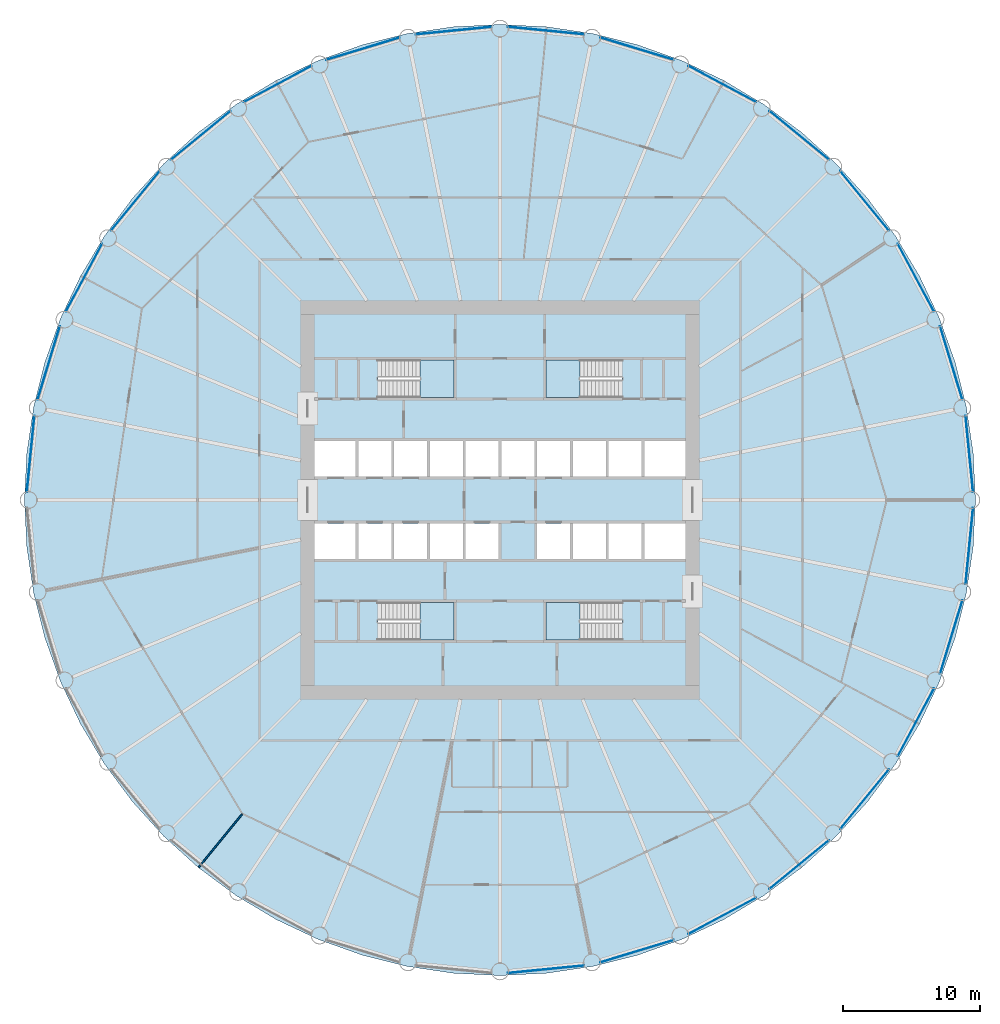
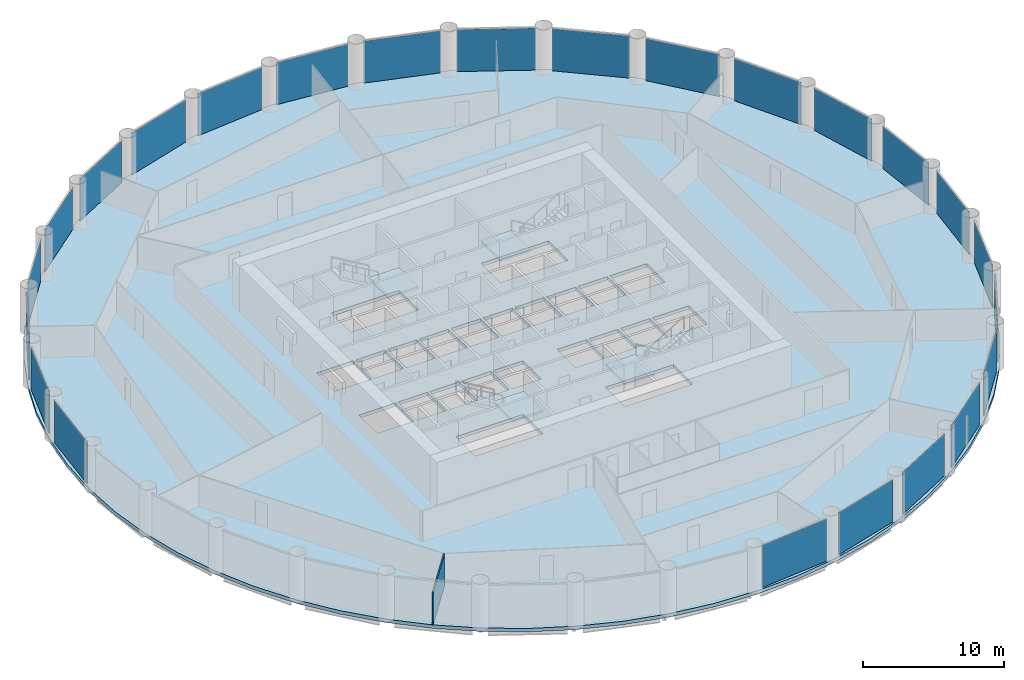
# One storey, part 3 of 8: 24 plates, 5 slabs, 1 wall, 28 elements without a shape of their own.
"""IFC4 building model written with IfcOpenShell, lengths in metres."""

from ifc_helpers import new_model, si_unit, direction, frame, frame_2d, origin, origin_2d, place, context, subcontext, project, spatial, polyline, rectangle, outline, extrude, material, layer, layer_set, type_object, element, aggregate, save


model = new_model("IFC4")

# Units and contexts
model_context = context("Model", 3, precision=1e-05, world=origin(), true_north=direction((0.0, 1.0)))
body_context = subcontext(model_context, "Body", "Model", "MODEL_VIEW")
ifc_project = project(units=[si_unit("LENGTHUNIT", "METRE"), si_unit("AREAUNIT", "SQUARE_METRE"), si_unit("VOLUMEUNIT", "CUBIC_METRE"), si_unit("PLANEANGLEUNIT", "RADIAN"), si_unit("MASSUNIT", "GRAM", prefix="KILO")], contexts=[model_context])

# Site, building, storey
site_placement = place(None, origin())
site = spatial("IfcSite", under=ifc_project, at=site_placement, CompositionType="ELEMENT")
building_placement = place(site_placement, origin())
building = spatial("IfcBuilding", under=site, at=building_placement, Name="Corvane Civic Tower", CompositionType="ELEMENT")
storey_placement = place(building_placement, frame((0.0, 0.0, 122.5)))
storey = spatial("IfcBuildingStorey", under=building, at=storey_placement, Name="L28", CompositionType="ELEMENT", Elevation=122.5)

# Slab
ifc_material_1 = material(Name="Concrete C40/50", Category="concrete")
ifc_layer_1 = layer(ifc_material_1, 0.300048828125)
ifc_layer_set_1 = layer_set([ifc_layer_1], Name="Concrete C40/50")
slab_type_1 = type_object("IfcSlabType", Name="FLOOR SLAB 300", PredefinedType="FLOOR", material=ifc_layer_set_1)
slab_1_placement = place(storey_placement, frame((0.0, 0.0, -0.300048828125)))
element("IfcSlab", 1, at=slab_1_placement, inside=storey, type_object=slab_type_1, Name="SLB-L28", PredefinedType="FLOOR", context=body_context, shape_type="SweptSolid", body=[
    extrude(outline(polyline([(0.0, 34.60009765625), (-3.391357421875, 34.433349609375), (-6.750244140625, 33.93505859375), (-10.0439453125, 33.110107421875), (-13.240966796875, 31.96630859375), (-16.310302734375, 30.514404296875), (-19.22265625, 28.768798828125), (-21.949951171875, 26.74609375), (-24.4658203125, 24.4658203125), (-26.74609375, 21.949951171875), (-28.768798828125, 19.22265625), (-30.514404296875, 16.310302734375), (-31.96630859375, 13.240966796875), (-33.110107421875, 10.0439453125), (-33.93505859375, 6.750244140625), (-34.433349609375, 3.391357421875), (-34.60009765625, 0.0), (-34.433349609375, -3.391357421875), (-33.93505859375, -6.750244140625), (-33.110107421875, -10.0439453125), (-31.96630859375, -13.240966796875), (-30.514404296875, -16.310302734375), (-28.768798828125, -19.22265625), (-26.74609375, -21.949951171875), (-24.4658203125, -24.4658203125), (-21.949951171875, -26.74609375), (-19.22265625, -28.768798828125), (-16.310302734375, -30.514404296875), (-13.240966796875, -31.96630859375), (-10.0439453125, -33.110107421875), (-6.750244140625, -33.93505859375), (-3.391357421875, -34.433349609375), (0.0, -34.60009765625), (3.391357421875, -34.433349609375), (6.750244140625, -33.93505859375), (10.0439453125, -33.110107421875), (13.240966796875, -31.96630859375), (16.310302734375, -30.514404296875), (19.22265625, -28.768798828125), (21.949951171875, -26.74609375), (24.4658203125, -24.4658203125), (26.74609375, -21.949951171875), (28.768798828125, -19.22265625), (30.514404296875, -16.310302734375), (31.96630859375, -13.240966796875), (33.110107421875, -10.0439453125), (33.93505859375, -6.750244140625), (34.433349609375, -3.391357421875), (34.60009765625, 0.0), (34.433349609375, 3.391357421875), (33.93505859375, 6.750244140625), (33.110107421875, 10.0439453125), (31.96630859375, 13.240966796875), (30.514404296875, 16.310302734375), (28.768798828125, 19.22265625), (26.74609375, 21.949951171875), (24.4658203125, 24.4658203125), (21.949951171875, 26.74609375), (19.22265625, 28.768798828125), (16.310302734375, 30.514404296875), (13.240966796875, 31.96630859375), (10.0439453125, 33.110107421875), (6.750244140625, 33.93505859375), (3.391357421875, 34.433349609375), (0.0, 34.60009765625)]), holes=[polyline([(-13.5, 4.300048828125), (-10.5, 4.300048828125), (-10.5, 1.699951171875), (-13.5, 1.699951171875), (-13.5, 4.300048828125)]), polyline([(-7.89990234375, 1.699951171875), (-10.300048828125, 1.699951171875), (-10.300048828125, 4.300048828125), (-7.89990234375, 4.300048828125), (-7.89990234375, 1.699951171875)]), polyline([(-7.699951171875, 4.300048828125), (-5.300048828125, 4.300048828125), (-5.300048828125, 1.699951171875), (-7.699951171875, 1.699951171875), (-7.699951171875, 4.300048828125)]), polyline([(-5.10009765625, 4.300048828125), (-2.699951171875, 4.300048828125), (-2.699951171875, 1.699951171875), (-5.10009765625, 1.699951171875), (-5.10009765625, 4.300048828125)]), polyline([(-0.10009765625, 1.699951171875), (-2.5, 1.699951171875), (-2.5, 4.300048828125), (-0.10009765625, 4.300048828125), (-0.10009765625, 1.699951171875)]), polyline([(2.5, 1.699951171875), (0.10009765625, 1.699951171875), (0.10009765625, 4.300048828125), (2.5, 4.300048828125), (2.5, 1.699951171875)]), polyline([(2.699951171875, 4.300048828125), (5.10009765625, 4.300048828125), (5.10009765625, 1.699951171875), (2.699951171875, 1.699951171875), (2.699951171875, 4.300048828125)]), polyline([(5.300048828125, 4.300048828125), (7.699951171875, 4.300048828125), (7.699951171875, 1.699951171875), (5.300048828125, 1.699951171875), (5.300048828125, 4.300048828125)]), polyline([(7.89990234375, 4.300048828125), (10.300048828125, 4.300048828125), (10.300048828125, 1.699951171875), (7.89990234375, 1.699951171875), (7.89990234375, 4.300048828125)]), polyline([(13.5, 1.699951171875), (10.5, 1.699951171875), (10.5, 4.300048828125), (13.5, 4.300048828125), (13.5, 1.699951171875)]), polyline([(-13.5, -1.699951171875), (-10.5, -1.699951171875), (-10.5, -4.300048828125), (-13.5, -4.300048828125), (-13.5, -1.699951171875)]), polyline([(-7.89990234375, -1.699951171875), (-7.89990234375, -4.300048828125), (-10.300048828125, -4.300048828125), (-10.300048828125, -1.699951171875), (-7.89990234375, -1.699951171875)]), polyline([(-5.300048828125, -1.699951171875), (-5.300048828125, -4.300048828125), (-7.699951171875, -4.300048828125), (-7.699951171875, -1.699951171875), (-5.300048828125, -1.699951171875)]), polyline([(-5.10009765625, -4.300048828125), (-5.10009765625, -1.699951171875), (-2.699951171875, -1.699951171875), (-2.699951171875, -4.300048828125), (-5.10009765625, -4.300048828125)]), polyline([(-0.10009765625, -1.699951171875), (-0.10009765625, -4.300048828125), (-2.5, -4.300048828125), (-2.5, -1.699951171875), (-0.10009765625, -1.699951171875)]), polyline([(5.10009765625, -1.699951171875), (5.10009765625, -4.300048828125), (2.699951171875, -4.300048828125), (2.699951171875, -1.699951171875), (5.10009765625, -1.699951171875)]), polyline([(7.699951171875, -1.699951171875), (7.699951171875, -4.300048828125), (5.300048828125, -4.300048828125), (5.300048828125, -1.699951171875), (7.699951171875, -1.699951171875)]), polyline([(10.300048828125, -1.699951171875), (10.300048828125, -4.300048828125), (7.89990234375, -4.300048828125), (7.89990234375, -1.699951171875), (10.300048828125, -1.699951171875)]), polyline([(13.5, -4.300048828125), (10.5, -4.300048828125), (10.5, -1.699951171875), (13.5, -1.699951171875), (13.5, -4.300048828125)]), polyline([(8.889892578125, 10.199951171875), (8.889892578125, 7.449951171875), (3.35009765625, 7.449951171875), (3.35009765625, 10.199951171875), (8.889892578125, 10.199951171875)]), polyline([(-8.889892578125, 7.449951171875), (-8.889892578125, 10.199951171875), (-3.35009765625, 10.199951171875), (-3.35009765625, 7.449951171875), (-8.889892578125, 7.449951171875)]), polyline([(8.889892578125, -7.449951171875), (8.889892578125, -10.199951171875), (3.35009765625, -10.199951171875), (3.35009765625, -7.449951171875), (8.889892578125, -7.449951171875)]), polyline([(-8.889892578125, -10.199951171875), (-8.889892578125, -7.449951171875), (-3.35009765625, -7.449951171875), (-3.35009765625, -10.199951171875), (-8.889892578125, -10.199951171875)])]), origin(), (0.0, 0.0, 1.0), 0.300048828125),
])

# Stair, slab
ifc_material_2 = material(Name="Concrete C40/50", Category="concrete")
stair_type = type_object("IfcStairType", Name="ST-STAIR-HALFTURN", PredefinedType="HALF_TURN_STAIR", material=ifc_material_2)
stair_1_placement = place(storey_placement, origin())
stair_1 = element("IfcStair", 2, at=stair_1_placement, inside=storey, type_object=stair_type, Name="L28 Exit stair ST1", PredefinedType="HALF_TURN_STAIR")
ifc_material_3 = material(Name="Concrete C40/50", Category="concrete")
ifc_layer_2 = layer(ifc_material_3, 0.199951171875)
ifc_layer_set_2 = layer_set([ifc_layer_2], Name="Concrete C40/50")
slab_type_2 = type_object("IfcSlabType", Name="ST-LANDING-RC", PredefinedType="LANDING", material=ifc_layer_set_2)
slab_2_placement = place(storey_placement, frame((0.0, 0.0, 1.800048828125)))
slab_2 = element("IfcSlab", 3, at=slab_2_placement, type_object=slab_type_2, Name="ST1 landing 1", PredefinedType="LANDING", context=body_context, shape_type="SweptSolid", body=[
    extrude(outline(polyline([(5.820068359375, 10.199951171875), (3.35009765625, 10.199951171875), (3.35009765625, 7.449951171875), (5.820068359375, 7.449951171875), (5.820068359375, 10.199951171875)])), origin(), (0.0, 0.0, 1.0), 0.199951171875),
])
aggregate(stair_1, [slab_2])

stair_2_placement = place(storey_placement, origin())
stair_2 = element("IfcStair", 4, at=stair_2_placement, inside=storey, type_object=stair_type, Name="L28 Exit stair ST2", PredefinedType="HALF_TURN_STAIR")
slab_3_placement = place(storey_placement, frame((0.0, 0.0, 1.800048828125)))
slab_3 = element("IfcSlab", 5, at=slab_3_placement, type_object=slab_type_2, Name="ST2 landing 1", PredefinedType="LANDING", context=body_context, shape_type="SweptSolid", body=[
    extrude(outline(polyline([(5.820068359375, -7.449951171875), (3.35009765625, -7.449951171875), (3.35009765625, -10.199951171875), (5.820068359375, -10.199951171875), (5.820068359375, -7.449951171875)])), origin(), (0.0, 0.0, 1.0), 0.199951171875),
])
aggregate(stair_2, [slab_3])

stair_3_placement = place(storey_placement, origin())
stair_3 = element("IfcStair", 6, at=stair_3_placement, inside=storey, type_object=stair_type, Name="L28 Exit stair ST3", PredefinedType="HALF_TURN_STAIR")
slab_4_placement = place(storey_placement, frame((0.0, 0.0, 1.800048828125)))
slab_4 = element("IfcSlab", 7, at=slab_4_placement, type_object=slab_type_2, Name="ST3 landing 1", PredefinedType="LANDING", context=body_context, shape_type="SweptSolid", body=[
    extrude(outline(polyline([(-5.820068359375, -10.199951171875), (-3.35009765625, -10.199951171875), (-3.35009765625, -7.449951171875), (-5.820068359375, -7.449951171875), (-5.820068359375, -10.199951171875)])), origin(), (0.0, 0.0, 1.0), 0.199951171875),
])
aggregate(stair_3, [slab_4])

stair_4_placement = place(storey_placement, origin())
stair_4 = element("IfcStair", 8, at=stair_4_placement, inside=storey, type_object=stair_type, Name="L28 Exit stair ST4", PredefinedType="HALF_TURN_STAIR")
slab_5_placement = place(storey_placement, frame((0.0, 0.0, 1.800048828125)))
slab_5 = element("IfcSlab", 9, at=slab_5_placement, type_object=slab_type_2, Name="ST4 landing 1", PredefinedType="LANDING", context=body_context, shape_type="SweptSolid", body=[
    extrude(outline(polyline([(-5.820068359375, 7.449951171875), (-3.35009765625, 7.449951171875), (-3.35009765625, 10.199951171875), (-5.820068359375, 10.199951171875), (-5.820068359375, 7.449951171875)])), origin(), (0.0, 0.0, 1.0), 0.199951171875),
])
aggregate(stair_4, [slab_5])

# Curtain wall, plate
ifc_material_4 = material(Name="Anodised aluminium bronze", Category="aluminium")
curtain_wall_type = type_object("IfcCurtainWallType", Name="TOWER CW-T1 STICK CURTAIN WALL", PredefinedType="NOTDEFINED", material=ifc_material_4)
curtain_wall_1_placement = place(storey_placement, origin())
curtain_wall_1 = element("IfcCurtainWall", 10, at=curtain_wall_1_placement, inside=storey, type_object=curtain_wall_type, Name="Curtain wall CW-T1 L28 bay 01", PredefinedType="NOTDEFINED")
ifc_material_5 = material(Name="Tinted glass", Category="glass")
ifc_layer_3 = layer(ifc_material_5, 0.035888671875)
ifc_layer_set_3 = layer_set([ifc_layer_3], Name="Tinted glass")
plate_type = type_object("IfcPlateType", Name="TOWER CW-T1 PANEL IGU36", PredefinedType="CURTAIN_PANEL", material=ifc_layer_set_3)
plate_1_placement = place(storey_placement, frame((3.36328125, 34.148681640625, 0.0), z_axis=(0.0, 0.0, 1.0), x_axis=(0.995183788169, -0.098026668644, 0.0)))
plate_1 = element("IfcPlate", 11, at=plate_1_placement, type_object=plate_type, Name="Glass panel CW-T1 L28 01.1", PredefinedType="CURTAIN_PANEL", context=body_context, shape_type="SweptSolid", body=[
    extrude(rectangle(XDim=5.58642578125, YDim=0.035888671875, at=origin_2d()), origin(), (0.0, 0.0, 1.0), 3.6298828125),
])
aggregate(curtain_wall_1, [plate_1])

curtain_wall_2_placement = place(storey_placement, origin())
curtain_wall_2 = element("IfcCurtainWall", 12, at=curtain_wall_2_placement, inside=storey, type_object=curtain_wall_type, Name="Curtain wall CW-T1 L28 bay 02", PredefinedType="NOTDEFINED")
plate_2_placement = place(storey_placement, frame((9.9609375, 32.83642578125, 0.0), z_axis=(0.0, 0.0, 1.0), x_axis=(0.956945991488, -0.290266032073, 0.0)))
plate_2 = element("IfcPlate", 13, at=plate_2_placement, type_object=plate_type, Name="Glass panel CW-T1 L28 02.1", PredefinedType="CURTAIN_PANEL", context=body_context, shape_type="SweptSolid", body=[
    extrude(rectangle(XDim=5.58642578125, YDim=0.035888671875, at=origin_2d()), origin(), (0.0, 0.0, 1.0), 3.6298828125),
])
aggregate(curtain_wall_2, [plate_2])

curtain_wall_3_placement = place(storey_placement, origin())
curtain_wall_3 = element("IfcCurtainWall", 14, at=curtain_wall_3_placement, inside=storey, type_object=curtain_wall_type, Name="Curtain wall CW-T1 L28 bay 03", PredefinedType="NOTDEFINED")
plate_3_placement = place(storey_placement, frame((16.175537109375, 30.26220703125, 0.0), z_axis=(0.0, 0.0, 1.0), x_axis=(0.881923642976, -0.471392286699, 0.0)))
plate_3 = element("IfcPlate", 15, at=plate_3_placement, type_object=plate_type, Name="Glass panel CW-T1 L28 03.1", PredefinedType="CURTAIN_PANEL", context=body_context, shape_type="SweptSolid", body=[
    extrude(rectangle(XDim=5.586669921875, YDim=0.035888671875, at=origin_2d()), origin(), (0.0, 0.0, 1.0), 3.6298828125),
])
aggregate(curtain_wall_3, [plate_3])

curtain_wall_4_placement = place(storey_placement, origin())
curtain_wall_4 = element("IfcCurtainWall", 16, at=curtain_wall_4_placement, inside=storey, type_object=curtain_wall_type, Name="Curtain wall CW-T1 L28 bay 04", PredefinedType="NOTDEFINED")
plate_4_placement = place(storey_placement, frame((21.7685546875, 26.525146484375, 0.0), z_axis=(0.0, 0.0, 1.0), x_axis=(0.773013419843, -0.63438966948, 0.0)))
plate_4 = element("IfcPlate", 17, at=plate_4_placement, type_object=plate_type, Name="Glass panel CW-T1 L28 04.1", PredefinedType="CURTAIN_PANEL", context=body_context, shape_type="SweptSolid", body=[
    extrude(rectangle(XDim=5.58642578125, YDim=0.035888671875, at=origin_2d()), origin(), (0.0, 0.0, 1.0), 3.6298828125),
])
aggregate(curtain_wall_4, [plate_4])

curtain_wall_5_placement = place(storey_placement, origin())
curtain_wall_5 = element("IfcCurtainWall", 18, at=curtain_wall_5_placement, inside=storey, type_object=curtain_wall_type, Name="Curtain wall CW-T1 L28 bay 05", PredefinedType="NOTDEFINED")
plate_5_placement = place(storey_placement, frame((26.525146484375, 21.7685546875, 0.0), z_axis=(0.0, 0.0, 1.0), x_axis=(0.63438966948, -0.773013419843, 0.0)))
plate_5 = element("IfcPlate", 19, at=plate_5_placement, type_object=plate_type, Name="Glass panel CW-T1 L28 05.1", PredefinedType="CURTAIN_PANEL", context=body_context, shape_type="SweptSolid", body=[
    extrude(rectangle(XDim=5.58642578125, YDim=0.035888671875, at=origin_2d()), origin(), (0.0, 0.0, 1.0), 3.6298828125),
])
aggregate(curtain_wall_5, [plate_5])

curtain_wall_6_placement = place(storey_placement, origin())
curtain_wall_6 = element("IfcCurtainWall", 20, at=curtain_wall_6_placement, inside=storey, type_object=curtain_wall_type, Name="Curtain wall CW-T1 L28 bay 06", PredefinedType="NOTDEFINED")
plate_6_placement = place(storey_placement, frame((30.26220703125, 16.175537109375, 0.0), z_axis=(0.0, 0.0, 1.0), x_axis=(0.471392286699, -0.881923642976, 0.0)))
plate_6 = element("IfcPlate", 21, at=plate_6_placement, type_object=plate_type, Name="Glass panel CW-T1 L28 06.1", PredefinedType="CURTAIN_PANEL", context=body_context, shape_type="SweptSolid", body=[
    extrude(rectangle(XDim=5.586669921875, YDim=0.035888671875, at=origin_2d()), origin(), (0.0, 0.0, 1.0), 3.6298828125),
])
aggregate(curtain_wall_6, [plate_6])

curtain_wall_7_placement = place(storey_placement, origin())
curtain_wall_7 = element("IfcCurtainWall", 22, at=curtain_wall_7_placement, inside=storey, type_object=curtain_wall_type, Name="Curtain wall CW-T1 L28 bay 07", PredefinedType="NOTDEFINED")
plate_7_placement = place(storey_placement, frame((32.83642578125, 9.9609375, 0.0), z_axis=(0.0, 0.0, 1.0), x_axis=(0.290266032073, -0.956945991488, 0.0)))
plate_7 = element("IfcPlate", 23, at=plate_7_placement, type_object=plate_type, Name="Glass panel CW-T1 L28 07.1", PredefinedType="CURTAIN_PANEL", context=body_context, shape_type="SweptSolid", body=[
    extrude(rectangle(XDim=5.58642578125, YDim=0.035888671875, at=origin_2d()), origin(), (0.0, 0.0, 1.0), 3.6298828125),
])
aggregate(curtain_wall_7, [plate_7])

curtain_wall_8_placement = place(storey_placement, origin())
curtain_wall_8 = element("IfcCurtainWall", 24, at=curtain_wall_8_placement, inside=storey, type_object=curtain_wall_type, Name="Curtain wall CW-T1 L28 bay 08", PredefinedType="NOTDEFINED")
plate_8_placement = place(storey_placement, frame((34.148681640625, 3.36328125, 0.0), z_axis=(0.0, 0.0, 1.0), x_axis=(0.098026668644, -0.995183788169, 0.0)))
plate_8 = element("IfcPlate", 25, at=plate_8_placement, type_object=plate_type, Name="Glass panel CW-T1 L28 08.1", PredefinedType="CURTAIN_PANEL", context=body_context, shape_type="SweptSolid", body=[
    extrude(rectangle(XDim=5.58642578125, YDim=0.035888671875, at=origin_2d()), origin(), (0.0, 0.0, 1.0), 3.6298828125),
])
aggregate(curtain_wall_8, [plate_8])

curtain_wall_9_placement = place(storey_placement, origin())
curtain_wall_9 = element("IfcCurtainWall", 26, at=curtain_wall_9_placement, inside=storey, type_object=curtain_wall_type, Name="Curtain wall CW-T1 L28 bay 09", PredefinedType="NOTDEFINED")
plate_9_placement = place(storey_placement, frame((34.148681640625, -3.36328125, 0.0), z_axis=(0.0, 0.0, 1.0), x_axis=(-0.098026668644, -0.995183788169, 0.0)))
plate_9 = element("IfcPlate", 27, at=plate_9_placement, type_object=plate_type, Name="Glass panel CW-T1 L28 09.1", PredefinedType="CURTAIN_PANEL", context=body_context, shape_type="SweptSolid", body=[
    extrude(rectangle(XDim=5.58642578125, YDim=0.035888671875, at=origin_2d()), origin(), (0.0, 0.0, 1.0), 3.6298828125),
])
aggregate(curtain_wall_9, [plate_9])

curtain_wall_10_placement = place(storey_placement, origin())
curtain_wall_10 = element("IfcCurtainWall", 28, at=curtain_wall_10_placement, inside=storey, type_object=curtain_wall_type, Name="Curtain wall CW-T1 L28 bay 10", PredefinedType="NOTDEFINED")
plate_10_placement = place(storey_placement, frame((32.83642578125, -9.9609375, 0.0), z_axis=(0.0, 0.0, 1.0), x_axis=(-0.290266032073, -0.956945991488, 0.0)))
plate_10 = element("IfcPlate", 29, at=plate_10_placement, type_object=plate_type, Name="Glass panel CW-T1 L28 10.1", PredefinedType="CURTAIN_PANEL", context=body_context, shape_type="SweptSolid", body=[
    extrude(rectangle(XDim=5.58642578125, YDim=0.035888671875, at=origin_2d()), origin(), (0.0, 0.0, 1.0), 3.6298828125),
])
aggregate(curtain_wall_10, [plate_10])

curtain_wall_11_placement = place(storey_placement, origin())
curtain_wall_11 = element("IfcCurtainWall", 30, at=curtain_wall_11_placement, inside=storey, type_object=curtain_wall_type, Name="Curtain wall CW-T1 L28 bay 11", PredefinedType="NOTDEFINED")
plate_11_placement = place(storey_placement, frame((30.26220703125, -16.175537109375, 0.0), z_axis=(0.0, 0.0, 1.0), x_axis=(-0.471392286699, -0.881923642976, 0.0)))
plate_11 = element("IfcPlate", 31, at=plate_11_placement, type_object=plate_type, Name="Glass panel CW-T1 L28 11.1", PredefinedType="CURTAIN_PANEL", context=body_context, shape_type="SweptSolid", body=[
    extrude(rectangle(XDim=5.586669921875, YDim=0.035888671875, at=origin_2d()), origin(), (0.0, 0.0, 1.0), 3.6298828125),
])
aggregate(curtain_wall_11, [plate_11])

curtain_wall_12_placement = place(storey_placement, origin())
curtain_wall_12 = element("IfcCurtainWall", 32, at=curtain_wall_12_placement, inside=storey, type_object=curtain_wall_type, Name="Curtain wall CW-T1 L28 bay 12", PredefinedType="NOTDEFINED")
plate_12_placement = place(storey_placement, frame((26.525146484375, -21.7685546875, 0.0), z_axis=(0.0, 0.0, 1.0), x_axis=(-0.63438966948, -0.773013419843, 0.0)))
plate_12 = element("IfcPlate", 33, at=plate_12_placement, type_object=plate_type, Name="Glass panel CW-T1 L28 12.1", PredefinedType="CURTAIN_PANEL", context=body_context, shape_type="SweptSolid", body=[
    extrude(rectangle(XDim=5.58642578125, YDim=0.035888671875, at=origin_2d()), origin(), (0.0, 0.0, 1.0), 3.6298828125),
])
aggregate(curtain_wall_12, [plate_12])

curtain_wall_13_placement = place(storey_placement, origin())
curtain_wall_13 = element("IfcCurtainWall", 34, at=curtain_wall_13_placement, inside=storey, type_object=curtain_wall_type, Name="Curtain wall CW-T1 L28 bay 13", PredefinedType="NOTDEFINED")
plate_13_placement = place(storey_placement, frame((21.7685546875, -26.525146484375, 0.0), z_axis=(0.0, 0.0, 1.0), x_axis=(-0.773013419843, -0.63438966948, 0.0)))
plate_13 = element("IfcPlate", 35, at=plate_13_placement, type_object=plate_type, Name="Glass panel CW-T1 L28 13.1", PredefinedType="CURTAIN_PANEL", context=body_context, shape_type="SweptSolid", body=[
    extrude(rectangle(XDim=5.58642578125, YDim=0.035888671875, at=origin_2d()), origin(), (0.0, 0.0, 1.0), 3.6298828125),
])
aggregate(curtain_wall_13, [plate_13])

curtain_wall_14_placement = place(storey_placement, origin())
curtain_wall_14 = element("IfcCurtainWall", 36, at=curtain_wall_14_placement, inside=storey, type_object=curtain_wall_type, Name="Curtain wall CW-T1 L28 bay 14", PredefinedType="NOTDEFINED")
plate_14_placement = place(storey_placement, frame((16.175537109375, -30.26220703125, 0.0), z_axis=(0.0, 0.0, 1.0), x_axis=(-0.881923642976, -0.471392286699, 0.0)))
plate_14 = element("IfcPlate", 37, at=plate_14_placement, type_object=plate_type, Name="Glass panel CW-T1 L28 14.1", PredefinedType="CURTAIN_PANEL", context=body_context, shape_type="SweptSolid", body=[
    extrude(rectangle(XDim=5.586669921875, YDim=0.035888671875, at=origin_2d()), origin(), (0.0, 0.0, 1.0), 3.6298828125),
])
aggregate(curtain_wall_14, [plate_14])

curtain_wall_15_placement = place(storey_placement, origin())
curtain_wall_15 = element("IfcCurtainWall", 38, at=curtain_wall_15_placement, inside=storey, type_object=curtain_wall_type, Name="Curtain wall CW-T1 L28 bay 15", PredefinedType="NOTDEFINED")
plate_15_placement = place(storey_placement, frame((9.9609375, -32.83642578125, 0.0), z_axis=(0.0, 0.0, 1.0), x_axis=(-0.956945991488, -0.290266032073, 0.0)))
plate_15 = element("IfcPlate", 39, at=plate_15_placement, type_object=plate_type, Name="Glass panel CW-T1 L28 15.1", PredefinedType="CURTAIN_PANEL", context=body_context, shape_type="SweptSolid", body=[
    extrude(rectangle(XDim=5.58642578125, YDim=0.035888671875, at=origin_2d()), origin(), (0.0, 0.0, 1.0), 3.6298828125),
])
aggregate(curtain_wall_15, [plate_15])

curtain_wall_16_placement = place(storey_placement, origin())
curtain_wall_16 = element("IfcCurtainWall", 40, at=curtain_wall_16_placement, inside=storey, type_object=curtain_wall_type, Name="Curtain wall CW-T1 L28 bay 16", PredefinedType="NOTDEFINED")
plate_16_placement = place(storey_placement, frame((3.36328125, -34.148681640625, 0.0), z_axis=(0.0, 0.0, 1.0), x_axis=(-0.995183788169, -0.098026668644, 0.0)))
plate_16 = element("IfcPlate", 41, at=plate_16_placement, type_object=plate_type, Name="Glass panel CW-T1 L28 16.1", PredefinedType="CURTAIN_PANEL", context=body_context, shape_type="SweptSolid", body=[
    extrude(rectangle(XDim=5.58642578125, YDim=0.035888671875, at=origin_2d()), origin(), (0.0, 0.0, 1.0), 3.6298828125),
])
aggregate(curtain_wall_16, [plate_16])

curtain_wall_17_placement = place(storey_placement, origin())
curtain_wall_17 = element("IfcCurtainWall", 42, at=curtain_wall_17_placement, inside=storey, type_object=curtain_wall_type, Name="Curtain wall CW-T1 L28 bay 25", PredefinedType="NOTDEFINED")
plate_17_placement = place(storey_placement, frame((-34.148681640625, 3.36328125, 0.0), z_axis=(0.0, 0.0, 1.0), x_axis=(0.098026668644, 0.995183788169, 0.0)))
plate_17 = element("IfcPlate", 43, at=plate_17_placement, type_object=plate_type, Name="Glass panel CW-T1 L28 25.1", PredefinedType="CURTAIN_PANEL", context=body_context, shape_type="SweptSolid", body=[
    extrude(rectangle(XDim=5.58642578125, YDim=0.035888671875, at=origin_2d()), origin(), (0.0, 0.0, 1.0), 3.6298828125),
])
aggregate(curtain_wall_17, [plate_17])

curtain_wall_18_placement = place(storey_placement, origin())
curtain_wall_18 = element("IfcCurtainWall", 44, at=curtain_wall_18_placement, inside=storey, type_object=curtain_wall_type, Name="Curtain wall CW-T1 L28 bay 26", PredefinedType="NOTDEFINED")
plate_18_placement = place(storey_placement, frame((-32.83642578125, 9.9609375, 0.0), z_axis=(0.0, 0.0, 1.0), x_axis=(0.290266032073, 0.956945991488, 0.0)))
plate_18 = element("IfcPlate", 45, at=plate_18_placement, type_object=plate_type, Name="Glass panel CW-T1 L28 26.1", PredefinedType="CURTAIN_PANEL", context=body_context, shape_type="SweptSolid", body=[
    extrude(rectangle(XDim=5.58642578125, YDim=0.035888671875, at=origin_2d()), origin(), (0.0, 0.0, 1.0), 3.6298828125),
])
aggregate(curtain_wall_18, [plate_18])

curtain_wall_19_placement = place(storey_placement, origin())
curtain_wall_19 = element("IfcCurtainWall", 46, at=curtain_wall_19_placement, inside=storey, type_object=curtain_wall_type, Name="Curtain wall CW-T1 L28 bay 27", PredefinedType="NOTDEFINED")
plate_19_placement = place(storey_placement, frame((-30.26220703125, 16.175537109375, 0.0), z_axis=(0.0, 0.0, 1.0), x_axis=(0.471392286699, 0.881923642976, 0.0)))
plate_19 = element("IfcPlate", 47, at=plate_19_placement, type_object=plate_type, Name="Glass panel CW-T1 L28 27.1", PredefinedType="CURTAIN_PANEL", context=body_context, shape_type="SweptSolid", body=[
    extrude(rectangle(XDim=5.586669921875, YDim=0.035888671875, at=origin_2d()), origin(), (0.0, 0.0, 1.0), 3.6298828125),
])
aggregate(curtain_wall_19, [plate_19])

curtain_wall_20_placement = place(storey_placement, origin())
curtain_wall_20 = element("IfcCurtainWall", 48, at=curtain_wall_20_placement, inside=storey, type_object=curtain_wall_type, Name="Curtain wall CW-T1 L28 bay 28", PredefinedType="NOTDEFINED")
plate_20_placement = place(storey_placement, frame((-26.525146484375, 21.7685546875, 0.0), z_axis=(0.0, 0.0, 1.0), x_axis=(0.63438966948, 0.773013419843, 0.0)))
plate_20 = element("IfcPlate", 49, at=plate_20_placement, type_object=plate_type, Name="Glass panel CW-T1 L28 28.1", PredefinedType="CURTAIN_PANEL", context=body_context, shape_type="SweptSolid", body=[
    extrude(rectangle(XDim=5.58642578125, YDim=0.035888671875, at=origin_2d()), origin(), (0.0, 0.0, 1.0), 3.6298828125),
])
aggregate(curtain_wall_20, [plate_20])

curtain_wall_21_placement = place(storey_placement, origin())
curtain_wall_21 = element("IfcCurtainWall", 50, at=curtain_wall_21_placement, inside=storey, type_object=curtain_wall_type, Name="Curtain wall CW-T1 L28 bay 29", PredefinedType="NOTDEFINED")
plate_21_placement = place(storey_placement, frame((-21.7685546875, 26.525146484375, 0.0), z_axis=(0.0, 0.0, 1.0), x_axis=(0.773013419843, 0.63438966948, 0.0)))
plate_21 = element("IfcPlate", 51, at=plate_21_placement, type_object=plate_type, Name="Glass panel CW-T1 L28 29.1", PredefinedType="CURTAIN_PANEL", context=body_context, shape_type="SweptSolid", body=[
    extrude(rectangle(XDim=5.58642578125, YDim=0.035888671875, at=origin_2d()), origin(), (0.0, 0.0, 1.0), 3.6298828125),
])
aggregate(curtain_wall_21, [plate_21])

curtain_wall_22_placement = place(storey_placement, origin())
curtain_wall_22 = element("IfcCurtainWall", 52, at=curtain_wall_22_placement, inside=storey, type_object=curtain_wall_type, Name="Curtain wall CW-T1 L28 bay 30", PredefinedType="NOTDEFINED")
plate_22_placement = place(storey_placement, frame((-16.175537109375, 30.26220703125, 0.0), z_axis=(0.0, 0.0, 1.0), x_axis=(0.881923642976, 0.471392286699, 0.0)))
plate_22 = element("IfcPlate", 53, at=plate_22_placement, type_object=plate_type, Name="Glass panel CW-T1 L28 30.1", PredefinedType="CURTAIN_PANEL", context=body_context, shape_type="SweptSolid", body=[
    extrude(rectangle(XDim=5.586669921875, YDim=0.035888671875, at=origin_2d()), origin(), (0.0, 0.0, 1.0), 3.6298828125),
])
aggregate(curtain_wall_22, [plate_22])

curtain_wall_23_placement = place(storey_placement, origin())
curtain_wall_23 = element("IfcCurtainWall", 54, at=curtain_wall_23_placement, inside=storey, type_object=curtain_wall_type, Name="Curtain wall CW-T1 L28 bay 31", PredefinedType="NOTDEFINED")
plate_23_placement = place(storey_placement, frame((-9.9609375, 32.83642578125, 0.0), z_axis=(0.0, 0.0, 1.0), x_axis=(0.956945991488, 0.290266032073, 0.0)))
plate_23 = element("IfcPlate", 55, at=plate_23_placement, type_object=plate_type, Name="Glass panel CW-T1 L28 31.1", PredefinedType="CURTAIN_PANEL", context=body_context, shape_type="SweptSolid", body=[
    extrude(rectangle(XDim=5.58642578125, YDim=0.035888671875, at=origin_2d()), origin(), (0.0, 0.0, 1.0), 3.6298828125),
])
aggregate(curtain_wall_23, [plate_23])

curtain_wall_24_placement = place(storey_placement, origin())
curtain_wall_24 = element("IfcCurtainWall", 56, at=curtain_wall_24_placement, inside=storey, type_object=curtain_wall_type, Name="Curtain wall CW-T1 L28 bay 32", PredefinedType="NOTDEFINED")
plate_24_placement = place(storey_placement, frame((-3.36328125, 34.148681640625, 0.0), z_axis=(0.0, 0.0, 1.0), x_axis=(0.995183788169, 0.098026668644, 0.0)))
plate_24 = element("IfcPlate", 57, at=plate_24_placement, type_object=plate_type, Name="Glass panel CW-T1 L28 32.1", PredefinedType="CURTAIN_PANEL", context=body_context, shape_type="SweptSolid", body=[
    extrude(rectangle(XDim=5.58642578125, YDim=0.035888671875, at=origin_2d()), origin(), (0.0, 0.0, 1.0), 3.6298828125),
])
aggregate(curtain_wall_24, [plate_24])

# Wall
ifc_material_6 = material(Name="Plasterboard")
ifc_layer_4 = layer(ifc_material_6, 0.10009765625)
ifc_layer_set_4 = layer_set([ifc_layer_4], Name="Plasterboard")
wall_type = type_object("IfcWallType", Name="Partition 100 plasterboard on studs", PredefinedType="PARTITIONING", material=ifc_layer_set_4)
wall_placement = place(storey_placement, frame((-21.91845703125, -26.707763671875, 0.0), z_axis=(0.0, 0.0, 1.0), x_axis=(0.63436933627, 0.77303010627, 0.0)))
element("IfcWall", 58, at=wall_placement, inside=storey, type_object=wall_type, Name="Partition L28.006", PredefinedType="PARTITIONING", context=body_context, shape_type="SweptSolid", body=[
    extrude(rectangle(XDim=4.967041015625, YDim=0.10009765625, at=frame_2d((2.4833984375, 0.0))), origin(), (0.0, 0.0, 1.0), 2.699951171875),
])

save(model, "model.ifc")
